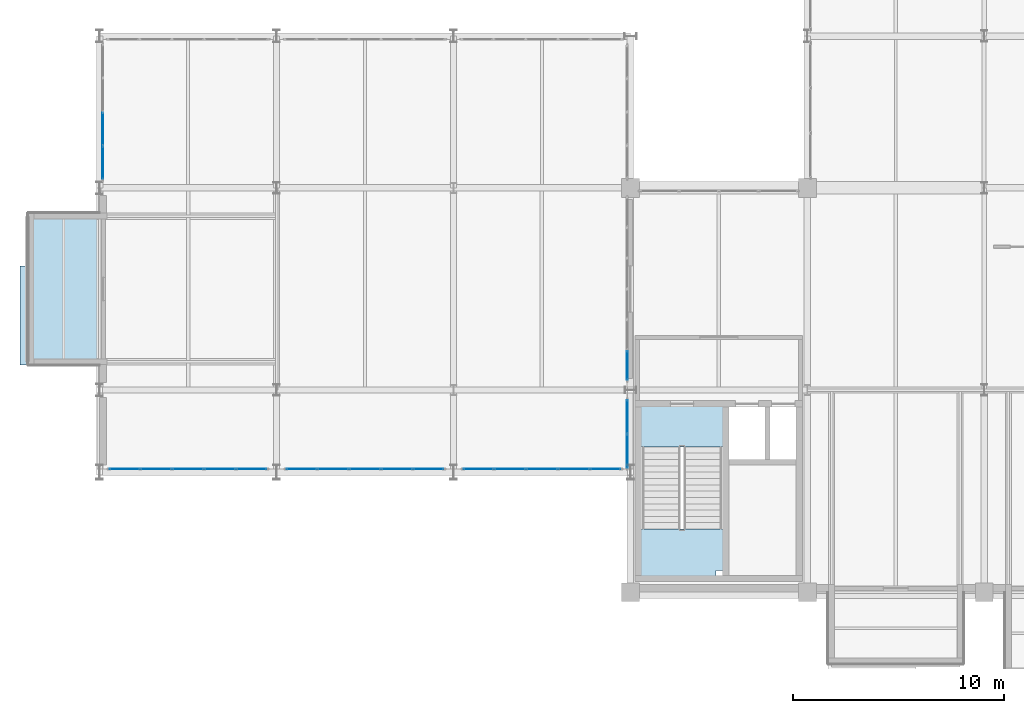
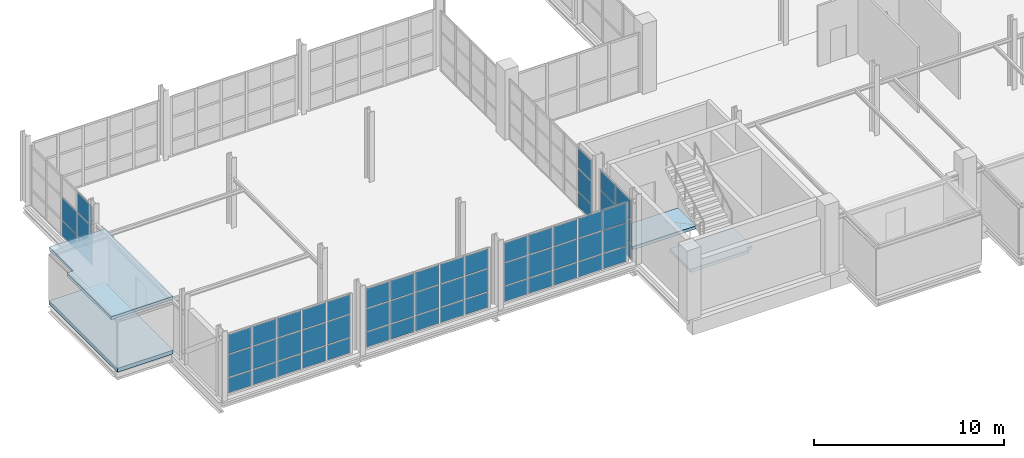
# One storey, part 85 of 109: 59 plates, 4 slabs, 7 elements without a shape of their own.
"""IFC4 building model written with IfcOpenShell, lengths in metres."""

import ifcopenshell
import ifcopenshell.guid

model = None  # the IFC model being written
_history = None  # IfcOwnerHistory: only IFC2X3 demands one
_inside = {}  # id of a spatial element -> (the spatial element, [elements in it])
_under = {}  # id of a project, library or spatial element -> (it, [spatial elements below it])
_declared = {}  # id of a project -> (the project, [libraries it declares])
_typed = {}  # id of a type object -> (the type object, [elements of that type])
_made_of = {}  # id of a material, layer set ... -> (it, [elements and type objects made of it])


def new_model(schema):
    """Start an empty IFC model of exactly this schema.

    Asked for "IFC4X3", IfcOpenShell would pick the latest addendum, in which some entities
    have other attributes; the version numbers below select the first issue.
    IFC2X3 requires an IfcOwnerHistory on every rooted entity: one is made here for all.
    """
    global model, _history
    if schema == "IFC4X3":
        model = ifcopenshell.file(schema_version=(4, 3, 0, 0))
    else:
        model = ifcopenshell.file(schema=schema)
    _inside.clear()
    _under.clear()
    _declared.clear()
    _typed.clear()
    _made_of.clear()
    _history = None
    if model.schema == "IFC2X3":
        org = make("IfcOrganization", Name="unknown")
        user = make(
            "IfcPersonAndOrganization",
            ThePerson=make("IfcPerson", FamilyName="unknown"),
            TheOrganization=org,
        )
        app = make(
            "IfcApplication",
            ApplicationDeveloper=org,
            Version="unknown",
            ApplicationFullName="unknown",
            ApplicationIdentifier="unknown",
        )
        _history = make(
            "IfcOwnerHistory",
            OwningUser=user,
            OwningApplication=app,
            ChangeAction="ADDED",
            CreationDate=0,
        )
    return model


def make(cls, **values):
    """One entity of the class cls with the attributes given. An attribute that is None is left unset."""
    return model.create_entity(
        cls, **{name: value for name, value in values.items() if value is not None}
    )


def rooted(cls, **values):
    """An entity with a GlobalId (a new one), such as an element, a storey or a relation."""
    return make(cls, GlobalId=ifcopenshell.guid.new(), OwnerHistory=_history, **values)


def si_unit(unit_type, name, prefix=None):
    """IfcSIUnit, for example si_unit("LENGTHUNIT", "METRE", prefix="MILLI")."""
    return make("IfcSIUnit", UnitType=unit_type, Prefix=prefix, Name=name)


def assignment(units):
    """IfcUnitAssignment: the units of a project."""
    return None if units is None else make("IfcUnitAssignment", Units=units)


def point(xyz):
    """IfcCartesianPoint."""
    return None if xyz is None else make("IfcCartesianPoint", Coordinates=xyz)


def direction(xyz):
    """IfcDirection."""
    return None if xyz is None else make("IfcDirection", DirectionRatios=xyz)


def frame(location, z_axis=None, x_axis=None):
    """IfcAxis2Placement3D, a coordinate frame: its origin and axes. An axis left out is left unset."""
    return make(
        "IfcAxis2Placement3D",
        Location=point(location),
        Axis=direction(z_axis),
        RefDirection=direction(x_axis),
    )


def frame_2d(location, x_axis=None):
    """IfcAxis2Placement2D, a coordinate frame in the plane: its origin and x axis."""
    return make(
        "IfcAxis2Placement2D", Location=point(location), RefDirection=direction(x_axis)
    )


def origin():
    """The frame at (0, 0, 0) with its axes left unset."""
    return frame((0.0, 0.0, 0.0))


def origin_2d():
    """The frame at (0, 0) in the plane with its x axis left unset."""
    return frame_2d((0.0, 0.0))


def place(relative_to, where):
    """IfcLocalPlacement: puts the frame where relative to a parent placement (None: the world)."""
    return make(
        "IfcLocalPlacement", PlacementRelTo=relative_to, RelativePlacement=where
    )


def context(
    kind, dimensions, precision=None, world=None, true_north=None, identifier=None
):
    """IfcGeometricRepresentationContext, for example the 3D "Model" context."""
    return make(
        "IfcGeometricRepresentationContext",
        ContextIdentifier=identifier,
        ContextType=kind,
        CoordinateSpaceDimension=dimensions,
        Precision=precision,
        WorldCoordinateSystem=world,
        TrueNorth=true_north,
    )


def subcontext(parent, identifier, kind, view, scale=None):
    """IfcGeometricRepresentationSubContext, for example "Body" below "Model"."""
    return make(
        "IfcGeometricRepresentationSubContext",
        ContextIdentifier=identifier,
        ContextType=kind,
        ParentContext=parent,
        TargetScale=scale,
        TargetView=view,
    )


def project(units=None, contexts=None):
    """IfcProject with its units and contexts."""
    return rooted(
        "IfcProject",
        Name="project",
        RepresentationContexts=contexts,
        UnitsInContext=assignment(units),
    )


def spatial(cls, under=None, at=None, **own):
    """A site, building, storey or space (cls), placed at a placement, below another one or the project."""
    s = rooted(cls, ObjectPlacement=at, **own)
    if under is not None:
        _under.setdefault(under.id(), (under, []))[1].append(s)
    return s


def polyline(points):
    """IfcPolyline through the points."""
    return make("IfcPolyline", Points=[point(p) for p in points])


def profile(cls, at=None, kind="AREA", **sizes):
    """A parametric profile (cls). Its sizes go by their IFC names, for example OverallWidth=200.0."""
    return make(cls, ProfileType=kind, Position=at, **sizes)


def rectangle(**sizes):
    """IfcRectangleProfileDef."""
    return profile("IfcRectangleProfileDef", **sizes)


def outline(outer, holes=None, kind="AREA"):
    """IfcArbitraryClosedProfileDef: a profile drawn as a closed curve; with holes, ...WithVoids."""
    if holes is None:
        return make("IfcArbitraryClosedProfileDef", ProfileType=kind, OuterCurve=outer)
    return make(
        "IfcArbitraryProfileDefWithVoids",
        ProfileType=kind,
        OuterCurve=outer,
        InnerCurves=holes,
    )


def extrude(swept, where, along, depth):
    """IfcExtrudedAreaSolid: the profile swept, set in the frame where, extruded along a direction by depth."""
    return make(
        "IfcExtrudedAreaSolid",
        SweptArea=swept,
        Position=where,
        ExtrudedDirection=direction(along),
        Depth=depth,
    )


def shape(context_of_items, identifier, shape_type, items):
    """IfcShapeRepresentation: the items that make up one representation, for example the "Body"."""
    return make(
        "IfcShapeRepresentation",
        ContextOfItems=context_of_items,
        RepresentationIdentifier=identifier,
        RepresentationType=shape_type,
        Items=items,
    )


def material(Name=None, Category=None):
    """IfcMaterial."""
    return make("IfcMaterial", Name=Name, Category=Category)


def layer(
    of_material, thickness, ventilated=None, Name=None, Category=None, Priority=None
):
    """IfcMaterialLayer: one layer of a wall or slab, of a material (None: an air gap)."""
    return make(
        "IfcMaterialLayer",
        Material=of_material,
        LayerThickness=thickness,
        IsVentilated=ventilated,
        Name=Name,
        Category=Category,
        Priority=Priority,
    )


def layer_set(layers, Name=None):
    """IfcMaterialLayerSet."""
    return make("IfcMaterialLayerSet", MaterialLayers=layers, LayerSetName=Name)


def made_of(thing, what):
    """Note that an element or type object is made of a material, layer set ...; save() writes the relation."""
    if what is not None:
        _made_of.setdefault(what.id(), (what, []))[1].append(thing)
    return thing


def type_object(cls, material=None, **own):
    """A type object (cls), such as IfcWallType, which elements share."""
    return made_of(rooted(cls, **own), material)


def element(
    cls,
    number,
    at=None,
    inside=None,
    cuts=None,
    type_object=None,
    material=None,
    context=None,
    identifier="Body",
    shape_type=None,
    held_by="IfcProductDefinitionShape",
    body=None,
    shapes=None,
    **own,
):
    """One element of the class cls, such as IfcWall. Its Tag is "e" and its number.

    at: its placement. inside: the storey or other place that contains it. cuts: it is an
    opening in that element (IfcRelVoidsElement). A single representation is given by context,
    identifier, shape_type and body (its items); several are given by shapes. held_by: the class
    of the entity that holds the representations. save() writes the other relations.
    """
    e = rooted(cls, Tag="e%d" % number, ObjectPlacement=at, **own)
    if body is not None:
        shapes = [shape(context, identifier, shape_type, body)]
    if shapes is not None:
        e.Representation = make(held_by, Representations=shapes)
    if inside is not None:
        _inside.setdefault(inside.id(), (inside, []))[1].append(e)
    if cuts is not None:
        rooted(
            "IfcRelVoidsElement", RelatingBuildingElement=cuts, RelatedOpeningElement=e
        )
    if type_object is not None:
        _typed.setdefault(type_object.id(), (type_object, []))[1].append(e)
    return made_of(e, material)


def aggregate(whole, parts):
    """IfcRelAggregates: a whole, such as a stair, and the parts it consists of."""
    return rooted("IfcRelAggregates", RelatingObject=whole, RelatedObjects=parts)


def save(model, path):
    """Write the relations noted so far, then the file.

    IfcRelAggregates (storeys below a building ...), IfcRelContainedInSpatialStructure (elements
    in a storey), IfcRelDefinesByType, IfcRelAssociatesMaterial and IfcRelDeclares: one each for
    every whole, place, type object, material and project.
    """
    for whole, parts in _under.values():
        aggregate(whole, parts)
    for where, things in _inside.values():
        rooted(
            "IfcRelContainedInSpatialStructure",
            RelatedElements=things,
            RelatingStructure=where,
        )
    for kind, things in _typed.values():
        rooted("IfcRelDefinesByType", RelatedObjects=things, RelatingType=kind)
    for what, things in _made_of.values():
        rooted("IfcRelAssociatesMaterial", RelatedObjects=things, RelatingMaterial=what)
    for by, libraries in _declared.values():
        rooted("IfcRelDeclares", RelatingContext=by, RelatedDefinitions=libraries)
    model.write(path)


model = new_model("IFC4")

# Units and contexts
model_context = context("Model", 3, precision=1e-05, world=origin(), true_north=direction((0.0, 1.0)))
body_context = subcontext(model_context, "Body", "Model", "MODEL_VIEW")
ifc_project = project(units=[si_unit("LENGTHUNIT", "METRE"), si_unit("AREAUNIT", "SQUARE_METRE"), si_unit("VOLUMEUNIT", "CUBIC_METRE"), si_unit("PLANEANGLEUNIT", "RADIAN"), si_unit("MASSUNIT", "GRAM", prefix="KILO")], contexts=[model_context])

# Site, building, storey
site_placement = place(None, origin())
site = spatial("IfcSite", under=ifc_project, at=site_placement, CompositionType="ELEMENT")
building_placement = place(site_placement, origin())
building = spatial("IfcBuilding", under=site, at=building_placement, Name="Veltarok Museum of Natural Sciences", CompositionType="ELEMENT")
storey_placement = place(building_placement, frame((0.0, 0.0, 17.39990234375)))
storey = spatial("IfcBuildingStorey", under=building, at=storey_placement, Name="L03", CompositionType="ELEMENT", Elevation=17.39990234375)

# Slabs
ifc_material_1 = material(Name="Concrete C35/45", Category="concrete")
ifc_layer_1 = layer(ifc_material_1, 0.199951171875)
ifc_layer_set_1 = layer_set([ifc_layer_1], Name="Concrete C35/45")
slab_type_1 = type_object("IfcSlabType", Name="Cantilevered Cabinet Box Roof Slab 200", PredefinedType="ROOF", material=ifc_layer_set_1)
slab_1_placement = place(storey_placement, frame((0.0, 0.0, 3.25)))
element("IfcSlab", 1, at=slab_1_placement, inside=storey, type_object=slab_type_1, Name="Cabinet Box Roof Slab DB-33", PredefinedType="ROOF", context=body_context, shape_type="SweptSolid", body=[
    extrude(outline(polyline([(2.6201171875, 10.800048828125), (6.39990234375, 10.800048828125), (6.39990234375, 18.0), (3.0, 18.0), (3.0, 15.47998046875), (2.6201171875, 15.47998046875), (2.6201171875, 10.800048828125)])), origin(), (0.0, 0.0, 1.0), 0.2001953125),
])
ifc_layer_2 = layer(ifc_material_1, 0.199951171875)
ifc_layer_set_2 = layer_set([ifc_layer_2], Name="Concrete C35/45")
slab_type_2 = type_object("IfcSlabType", Name="Protected Stair Intermediate Landing Slab 200", PredefinedType="LANDING", material=ifc_layer_set_2)
slab_2_placement = place(storey_placement, frame((0.0, 0.0, -0.199951171875)))
element("IfcSlab", 2, at=slab_2_placement, inside=storey, type_object=slab_type_2, Name="Stairwell Floor Landing ST-01 L03", PredefinedType="LANDING", context=body_context, shape_type="SweptSolid", body=[
    extrude(outline(polyline([(32.110107421875, 6.89990234375), (35.989990234375, 6.89990234375), (35.989990234375, 8.820068359375), (32.110107421875, 8.820068359375), (32.110107421875, 6.89990234375)])), origin(), (0.0, 0.0, 1.0), 0.199951171875),
])

# Stair, slab
ifc_material_2 = material(Name="Precast concrete C40/50", Category="concrete")
stair_type = type_object("IfcStairType", Name="Protected Half-Turn Escape Stair H4500", PredefinedType="HALF_TURN_STAIR", material=ifc_material_2)
stair_placement = place(storey_placement, origin())
stair = element("IfcStair", 3, at=stair_placement, inside=storey, type_object=stair_type, Name="Protected Escape Stair ST-01-L03", PredefinedType="HALF_TURN_STAIR")
slab_3_placement = place(storey_placement, frame((0.0, 0.0, 2.050048828125)))
slab_3 = element("IfcSlab", 4, at=slab_3_placement, type_object=slab_type_2, Name="ST-01-L03 landing 1", PredefinedType="LANDING", context=body_context, shape_type="SweptSolid", body=[
    extrude(outline(polyline([(32.110107421875, 0.780029296875), (35.669921875, 0.780029296875), (35.669921875, 1.02001953125), (35.989990234375, 1.02001953125), (35.989990234375, 3.0), (32.110107421875, 3.0), (32.110107421875, 0.780029296875)])), origin(), (0.0, 0.0, 1.0), 0.199951171875),
])
aggregate(stair, [slab_3])

# Slab
ifc_layer_3 = layer(ifc_material_1, 0.25)
ifc_layer_set_3 = layer_set([ifc_layer_3], Name="Concrete C35/45")
slab_type_3 = type_object("IfcSlabType", Name="Suspended Museum Floor Slab 250", PredefinedType="FLOOR", material=ifc_layer_set_3)
slab_4_placement = place(storey_placement, frame((0.0, 0.0, -0.25)))
element("IfcSlab", 5, at=slab_4_placement, inside=storey, type_object=slab_type_3, Name="Cabinet Box Floor Slab DB-33", PredefinedType="FLOOR", context=body_context, shape_type="SweptSolid", body=[
    extrude(outline(polyline([(3.0, 10.800048828125), (6.39990234375, 10.800048828125), (6.39990234375, 18.0), (3.0, 18.0), (3.0, 10.800048828125)])), origin(), (0.0, 0.0, 1.0), 0.25),
])

# Curtain wall, plates
ifc_material_3 = material(Name="Low-iron triple insulated glass", Category="glass")
curtain_wall_type_1 = type_object("IfcCurtainWallType", Name="Curtain Wall System CW-BRG-S-L03-1-756x388 (Bridge South Cantilever L03 1-2 756x388cm)", PredefinedType="NOTDEFINED", material=ifc_material_3)
curtain_wall_1_placement = place(storey_placement, origin())
curtain_wall_1 = element("IfcCurtainWall", 6, at=curtain_wall_1_placement, inside=storey, type_object=curtain_wall_type_1, Name="Curtain Wall CW-BRG-S-L03-1-756x388 CW-0037", PredefinedType="NOTDEFINED")
ifc_layer_4 = layer(ifc_material_3, 0.028076171875)
ifc_layer_set_4 = layer_set([ifc_layer_4], Name="Low-iron triple insulated glass")
plate_type = type_object("IfcPlateType", Name="Triple Low-Iron Glazed Vision Panel 28", PredefinedType="CURTAIN_PANEL", material=ifc_layer_set_4)
plate_1_placement = place(storey_placement, frame((7.591064453125, 5.85009765625, 0.06005859375), z_axis=(0.0, 0.0, 1.0), x_axis=(1.0, 0.0, 0.0)))
plate_1 = element("IfcPlate", 7, at=plate_1_placement, type_object=plate_type, Name="CW-BRG-S-L03-1-756x388 panel 1.1", PredefinedType="CURTAIN_PANEL", context=body_context, shape_type="SweptSolid", body=[
    extrude(rectangle(XDim=1.422119140625, YDim=0.028076171875, at=origin_2d()), origin(), (0.0, 0.0, 1.0), 0.9599609375),
])
plate_2_placement = place(storey_placement, frame((7.591064453125, 5.85009765625, 1.080078125), z_axis=(0.0, 0.0, 1.0), x_axis=(1.0, 0.0, 0.0)))
plate_2 = element("IfcPlate", 8, at=plate_2_placement, type_object=plate_type, Name="CW-BRG-S-L03-1-756x388 panel 1.2", PredefinedType="CURTAIN_PANEL", context=body_context, shape_type="SweptSolid", body=[
    extrude(rectangle(XDim=1.422119140625, YDim=0.028076171875, at=origin_2d()), origin(), (0.0, 0.0, 1.0), 1.43994140625),
])
plate_3_placement = place(storey_placement, frame((7.591064453125, 5.85009765625, 2.580078125), z_axis=(0.0, 0.0, 1.0), x_axis=(1.0, 0.0, 0.0)))
plate_3 = element("IfcPlate", 9, at=plate_3_placement, type_object=plate_type, Name="CW-BRG-S-L03-1-756x388 panel 1.3", PredefinedType="CURTAIN_PANEL", context=body_context, shape_type="SweptSolid", body=[
    extrude(rectangle(XDim=1.422119140625, YDim=0.028076171875, at=origin_2d()), origin(), (0.0, 0.0, 1.0), 1.239990234375),
])
plate_4_placement = place(storey_placement, frame((9.087890625, 5.85009765625, 0.06005859375), z_axis=(0.0, 0.0, 1.0), x_axis=(1.0, 0.0, 0.0)))
plate_4 = element("IfcPlate", 10, at=plate_4_placement, type_object=plate_type, Name="CW-BRG-S-L03-1-756x388 panel 2.1", PredefinedType="CURTAIN_PANEL", context=body_context, shape_type="SweptSolid", body=[
    extrude(rectangle(XDim=1.451904296875, YDim=0.028076171875, at=origin_2d()), origin(), (0.0, 0.0, 1.0), 0.9599609375),
])
plate_5_placement = place(storey_placement, frame((9.087890625, 5.85009765625, 1.080078125), z_axis=(0.0, 0.0, 1.0), x_axis=(1.0, 0.0, 0.0)))
plate_5 = element("IfcPlate", 11, at=plate_5_placement, type_object=plate_type, Name="CW-BRG-S-L03-1-756x388 panel 2.2", PredefinedType="CURTAIN_PANEL", context=body_context, shape_type="SweptSolid", body=[
    extrude(rectangle(XDim=1.451904296875, YDim=0.028076171875, at=origin_2d()), origin(), (0.0, 0.0, 1.0), 1.43994140625),
])
plate_6_placement = place(storey_placement, frame((9.087890625, 5.85009765625, 2.580078125), z_axis=(0.0, 0.0, 1.0), x_axis=(1.0, 0.0, 0.0)))
plate_6 = element("IfcPlate", 12, at=plate_6_placement, type_object=plate_type, Name="CW-BRG-S-L03-1-756x388 panel 2.3", PredefinedType="CURTAIN_PANEL", context=body_context, shape_type="SweptSolid", body=[
    extrude(rectangle(XDim=1.451904296875, YDim=0.028076171875, at=origin_2d()), origin(), (0.0, 0.0, 1.0), 1.239990234375),
])
plate_7_placement = place(storey_placement, frame((10.60009765625, 5.85009765625, 0.06005859375), z_axis=(0.0, 0.0, 1.0), x_axis=(1.0, 0.0, 0.0)))
plate_7 = element("IfcPlate", 13, at=plate_7_placement, type_object=plate_type, Name="CW-BRG-S-L03-1-756x388 panel 3.1", PredefinedType="CURTAIN_PANEL", context=body_context, shape_type="SweptSolid", body=[
    extrude(rectangle(XDim=1.451904296875, YDim=0.028076171875, at=origin_2d()), origin(), (0.0, 0.0, 1.0), 0.9599609375),
])
plate_8_placement = place(storey_placement, frame((10.60009765625, 5.85009765625, 1.080078125), z_axis=(0.0, 0.0, 1.0), x_axis=(1.0, 0.0, 0.0)))
plate_8 = element("IfcPlate", 14, at=plate_8_placement, type_object=plate_type, Name="CW-BRG-S-L03-1-756x388 panel 3.2", PredefinedType="CURTAIN_PANEL", context=body_context, shape_type="SweptSolid", body=[
    extrude(rectangle(XDim=1.451904296875, YDim=0.028076171875, at=origin_2d()), origin(), (0.0, 0.0, 1.0), 1.43994140625),
])
plate_9_placement = place(storey_placement, frame((10.60009765625, 5.85009765625, 2.580078125), z_axis=(0.0, 0.0, 1.0), x_axis=(1.0, 0.0, 0.0)))
plate_9 = element("IfcPlate", 15, at=plate_9_placement, type_object=plate_type, Name="CW-BRG-S-L03-1-756x388 panel 3.3", PredefinedType="CURTAIN_PANEL", context=body_context, shape_type="SweptSolid", body=[
    extrude(rectangle(XDim=1.451904296875, YDim=0.028076171875, at=origin_2d()), origin(), (0.0, 0.0, 1.0), 1.239990234375),
])
plate_10_placement = place(storey_placement, frame((12.112060546875, 5.85009765625, 0.06005859375), z_axis=(0.0, 0.0, 1.0), x_axis=(1.0, 0.0, 0.0)))
plate_10 = element("IfcPlate", 16, at=plate_10_placement, type_object=plate_type, Name="CW-BRG-S-L03-1-756x388 panel 4.1", PredefinedType="CURTAIN_PANEL", context=body_context, shape_type="SweptSolid", body=[
    extrude(rectangle(XDim=1.451904296875, YDim=0.028076171875, at=origin_2d()), origin(), (0.0, 0.0, 1.0), 0.9599609375),
])
plate_11_placement = place(storey_placement, frame((12.112060546875, 5.85009765625, 1.080078125), z_axis=(0.0, 0.0, 1.0), x_axis=(1.0, 0.0, 0.0)))
plate_11 = element("IfcPlate", 17, at=plate_11_placement, type_object=plate_type, Name="CW-BRG-S-L03-1-756x388 panel 4.2", PredefinedType="CURTAIN_PANEL", context=body_context, shape_type="SweptSolid", body=[
    extrude(rectangle(XDim=1.451904296875, YDim=0.028076171875, at=origin_2d()), origin(), (0.0, 0.0, 1.0), 1.43994140625),
])
plate_12_placement = place(storey_placement, frame((12.112060546875, 5.85009765625, 2.580078125), z_axis=(0.0, 0.0, 1.0), x_axis=(1.0, 0.0, 0.0)))
plate_12 = element("IfcPlate", 18, at=plate_12_placement, type_object=plate_type, Name="CW-BRG-S-L03-1-756x388 panel 4.3", PredefinedType="CURTAIN_PANEL", context=body_context, shape_type="SweptSolid", body=[
    extrude(rectangle(XDim=1.451904296875, YDim=0.028076171875, at=origin_2d()), origin(), (0.0, 0.0, 1.0), 1.239990234375),
])
plate_13_placement = place(storey_placement, frame((13.60888671875, 5.85009765625, 0.06005859375), z_axis=(0.0, 0.0, 1.0), x_axis=(1.0, 0.0, 0.0)))
plate_13 = element("IfcPlate", 19, at=plate_13_placement, type_object=plate_type, Name="CW-BRG-S-L03-1-756x388 panel 5.1", PredefinedType="CURTAIN_PANEL", context=body_context, shape_type="SweptSolid", body=[
    extrude(rectangle(XDim=1.422119140625, YDim=0.028076171875, at=origin_2d()), origin(), (0.0, 0.0, 1.0), 0.9599609375),
])
plate_14_placement = place(storey_placement, frame((13.60888671875, 5.85009765625, 1.080078125), z_axis=(0.0, 0.0, 1.0), x_axis=(1.0, 0.0, 0.0)))
plate_14 = element("IfcPlate", 20, at=plate_14_placement, type_object=plate_type, Name="CW-BRG-S-L03-1-756x388 panel 5.2", PredefinedType="CURTAIN_PANEL", context=body_context, shape_type="SweptSolid", body=[
    extrude(rectangle(XDim=1.422119140625, YDim=0.028076171875, at=origin_2d()), origin(), (0.0, 0.0, 1.0), 1.43994140625),
])
plate_15_placement = place(storey_placement, frame((13.60888671875, 5.85009765625, 2.580078125), z_axis=(0.0, 0.0, 1.0), x_axis=(1.0, 0.0, 0.0)))
plate_15 = element("IfcPlate", 21, at=plate_15_placement, type_object=plate_type, Name="CW-BRG-S-L03-1-756x388 panel 5.3", PredefinedType="CURTAIN_PANEL", context=body_context, shape_type="SweptSolid", body=[
    extrude(rectangle(XDim=1.422119140625, YDim=0.028076171875, at=origin_2d()), origin(), (0.0, 0.0, 1.0), 1.239990234375),
])
aggregate(curtain_wall_1, [plate_1, plate_2, plate_3, plate_4, plate_5, plate_6, plate_7, plate_8, plate_9, plate_10, plate_11, plate_12, plate_13, plate_14, plate_15])

curtain_wall_type_2 = type_object("IfcCurtainWallType", Name="Curtain Wall System CW-BRG-S-L03-2-756x388 (Bridge South Cantilever L03 2-3 756x388cm)", PredefinedType="NOTDEFINED", material=ifc_material_3)
curtain_wall_2_placement = place(storey_placement, origin())
curtain_wall_2 = element("IfcCurtainWall", 22, at=curtain_wall_2_placement, inside=storey, type_object=curtain_wall_type_2, Name="Curtain Wall CW-BRG-S-L03-2-756x388 CW-0038", PredefinedType="NOTDEFINED")
plate_16_placement = place(storey_placement, frame((15.990966796875, 5.85009765625, 0.06005859375), z_axis=(0.0, 0.0, 1.0), x_axis=(1.0, 0.0, 0.0)))
plate_16 = element("IfcPlate", 23, at=plate_16_placement, type_object=plate_type, Name="CW-BRG-S-L03-2-756x388 panel 1.1", PredefinedType="CURTAIN_PANEL", context=body_context, shape_type="SweptSolid", body=[
    extrude(rectangle(XDim=1.422119140625, YDim=0.028076171875, at=origin_2d()), origin(), (0.0, 0.0, 1.0), 0.9599609375),
])
plate_17_placement = place(storey_placement, frame((15.990966796875, 5.85009765625, 1.080078125), z_axis=(0.0, 0.0, 1.0), x_axis=(1.0, 0.0, 0.0)))
plate_17 = element("IfcPlate", 24, at=plate_17_placement, type_object=plate_type, Name="CW-BRG-S-L03-2-756x388 panel 1.2", PredefinedType="CURTAIN_PANEL", context=body_context, shape_type="SweptSolid", body=[
    extrude(rectangle(XDim=1.422119140625, YDim=0.028076171875, at=origin_2d()), origin(), (0.0, 0.0, 1.0), 1.43994140625),
])
plate_18_placement = place(storey_placement, frame((15.990966796875, 5.85009765625, 2.580078125), z_axis=(0.0, 0.0, 1.0), x_axis=(1.0, 0.0, 0.0)))
plate_18 = element("IfcPlate", 25, at=plate_18_placement, type_object=plate_type, Name="CW-BRG-S-L03-2-756x388 panel 1.3", PredefinedType="CURTAIN_PANEL", context=body_context, shape_type="SweptSolid", body=[
    extrude(rectangle(XDim=1.422119140625, YDim=0.028076171875, at=origin_2d()), origin(), (0.0, 0.0, 1.0), 1.239990234375),
])
plate_19_placement = place(storey_placement, frame((17.488037109375, 5.85009765625, 0.06005859375), z_axis=(0.0, 0.0, 1.0), x_axis=(1.0, 0.0, 0.0)))
plate_19 = element("IfcPlate", 26, at=plate_19_placement, type_object=plate_type, Name="CW-BRG-S-L03-2-756x388 panel 2.1", PredefinedType="CURTAIN_PANEL", context=body_context, shape_type="SweptSolid", body=[
    extrude(rectangle(XDim=1.451904296875, YDim=0.028076171875, at=origin_2d()), origin(), (0.0, 0.0, 1.0), 0.9599609375),
])
plate_20_placement = place(storey_placement, frame((17.488037109375, 5.85009765625, 1.080078125), z_axis=(0.0, 0.0, 1.0), x_axis=(1.0, 0.0, 0.0)))
plate_20 = element("IfcPlate", 27, at=plate_20_placement, type_object=plate_type, Name="CW-BRG-S-L03-2-756x388 panel 2.2", PredefinedType="CURTAIN_PANEL", context=body_context, shape_type="SweptSolid", body=[
    extrude(rectangle(XDim=1.451904296875, YDim=0.028076171875, at=origin_2d()), origin(), (0.0, 0.0, 1.0), 1.43994140625),
])
plate_21_placement = place(storey_placement, frame((17.488037109375, 5.85009765625, 2.580078125), z_axis=(0.0, 0.0, 1.0), x_axis=(1.0, 0.0, 0.0)))
plate_21 = element("IfcPlate", 28, at=plate_21_placement, type_object=plate_type, Name="CW-BRG-S-L03-2-756x388 panel 2.3", PredefinedType="CURTAIN_PANEL", context=body_context, shape_type="SweptSolid", body=[
    extrude(rectangle(XDim=1.451904296875, YDim=0.028076171875, at=origin_2d()), origin(), (0.0, 0.0, 1.0), 1.239990234375),
])
plate_22_placement = place(storey_placement, frame((19.0, 5.85009765625, 0.06005859375), z_axis=(0.0, 0.0, 1.0), x_axis=(1.0, 0.0, 0.0)))
plate_22 = element("IfcPlate", 29, at=plate_22_placement, type_object=plate_type, Name="CW-BRG-S-L03-2-756x388 panel 3.1", PredefinedType="CURTAIN_PANEL", context=body_context, shape_type="SweptSolid", body=[
    extrude(rectangle(XDim=1.451904296875, YDim=0.028076171875, at=origin_2d()), origin(), (0.0, 0.0, 1.0), 0.9599609375),
])
plate_23_placement = place(storey_placement, frame((19.0, 5.85009765625, 1.080078125), z_axis=(0.0, 0.0, 1.0), x_axis=(1.0, 0.0, 0.0)))
plate_23 = element("IfcPlate", 30, at=plate_23_placement, type_object=plate_type, Name="CW-BRG-S-L03-2-756x388 panel 3.2", PredefinedType="CURTAIN_PANEL", context=body_context, shape_type="SweptSolid", body=[
    extrude(rectangle(XDim=1.451904296875, YDim=0.028076171875, at=origin_2d()), origin(), (0.0, 0.0, 1.0), 1.43994140625),
])
plate_24_placement = place(storey_placement, frame((19.0, 5.85009765625, 2.580078125), z_axis=(0.0, 0.0, 1.0), x_axis=(1.0, 0.0, 0.0)))
plate_24 = element("IfcPlate", 31, at=plate_24_placement, type_object=plate_type, Name="CW-BRG-S-L03-2-756x388 panel 3.3", PredefinedType="CURTAIN_PANEL", context=body_context, shape_type="SweptSolid", body=[
    extrude(rectangle(XDim=1.451904296875, YDim=0.028076171875, at=origin_2d()), origin(), (0.0, 0.0, 1.0), 1.239990234375),
])
plate_25_placement = place(storey_placement, frame((20.511962890625, 5.85009765625, 0.06005859375), z_axis=(0.0, 0.0, 1.0), x_axis=(1.0, 0.0, 0.0)))
plate_25 = element("IfcPlate", 32, at=plate_25_placement, type_object=plate_type, Name="CW-BRG-S-L03-2-756x388 panel 4.1", PredefinedType="CURTAIN_PANEL", context=body_context, shape_type="SweptSolid", body=[
    extrude(rectangle(XDim=1.451904296875, YDim=0.028076171875, at=origin_2d()), origin(), (0.0, 0.0, 1.0), 0.9599609375),
])
plate_26_placement = place(storey_placement, frame((20.511962890625, 5.85009765625, 1.080078125), z_axis=(0.0, 0.0, 1.0), x_axis=(1.0, 0.0, 0.0)))
plate_26 = element("IfcPlate", 33, at=plate_26_placement, type_object=plate_type, Name="CW-BRG-S-L03-2-756x388 panel 4.2", PredefinedType="CURTAIN_PANEL", context=body_context, shape_type="SweptSolid", body=[
    extrude(rectangle(XDim=1.451904296875, YDim=0.028076171875, at=origin_2d()), origin(), (0.0, 0.0, 1.0), 1.43994140625),
])
plate_27_placement = place(storey_placement, frame((20.511962890625, 5.85009765625, 2.580078125), z_axis=(0.0, 0.0, 1.0), x_axis=(1.0, 0.0, 0.0)))
plate_27 = element("IfcPlate", 34, at=plate_27_placement, type_object=plate_type, Name="CW-BRG-S-L03-2-756x388 panel 4.3", PredefinedType="CURTAIN_PANEL", context=body_context, shape_type="SweptSolid", body=[
    extrude(rectangle(XDim=1.451904296875, YDim=0.028076171875, at=origin_2d()), origin(), (0.0, 0.0, 1.0), 1.239990234375),
])
plate_28_placement = place(storey_placement, frame((22.009033203125, 5.85009765625, 0.06005859375), z_axis=(0.0, 0.0, 1.0), x_axis=(1.0, 0.0, 0.0)))
plate_28 = element("IfcPlate", 35, at=plate_28_placement, type_object=plate_type, Name="CW-BRG-S-L03-2-756x388 panel 5.1", PredefinedType="CURTAIN_PANEL", context=body_context, shape_type="SweptSolid", body=[
    extrude(rectangle(XDim=1.422119140625, YDim=0.028076171875, at=origin_2d()), origin(), (0.0, 0.0, 1.0), 0.9599609375),
])
plate_29_placement = place(storey_placement, frame((22.009033203125, 5.85009765625, 1.080078125), z_axis=(0.0, 0.0, 1.0), x_axis=(1.0, 0.0, 0.0)))
plate_29 = element("IfcPlate", 36, at=plate_29_placement, type_object=plate_type, Name="CW-BRG-S-L03-2-756x388 panel 5.2", PredefinedType="CURTAIN_PANEL", context=body_context, shape_type="SweptSolid", body=[
    extrude(rectangle(XDim=1.422119140625, YDim=0.028076171875, at=origin_2d()), origin(), (0.0, 0.0, 1.0), 1.43994140625),
])
plate_30_placement = place(storey_placement, frame((22.009033203125, 5.85009765625, 2.580078125), z_axis=(0.0, 0.0, 1.0), x_axis=(1.0, 0.0, 0.0)))
plate_30 = element("IfcPlate", 37, at=plate_30_placement, type_object=plate_type, Name="CW-BRG-S-L03-2-756x388 panel 5.3", PredefinedType="CURTAIN_PANEL", context=body_context, shape_type="SweptSolid", body=[
    extrude(rectangle(XDim=1.422119140625, YDim=0.028076171875, at=origin_2d()), origin(), (0.0, 0.0, 1.0), 1.239990234375),
])
aggregate(curtain_wall_2, [plate_16, plate_17, plate_18, plate_19, plate_20, plate_21, plate_22, plate_23, plate_24, plate_25, plate_26, plate_27, plate_28, plate_29, plate_30])

curtain_wall_type_3 = type_object("IfcCurtainWallType", Name="Curtain Wall System CW-BRG-S-L03-3-756x388 (Bridge South Cantilever L03 3-4 756x388cm)", PredefinedType="NOTDEFINED", material=ifc_material_3)
curtain_wall_3_placement = place(storey_placement, origin())
curtain_wall_3 = element("IfcCurtainWall", 38, at=curtain_wall_3_placement, inside=storey, type_object=curtain_wall_type_3, Name="Curtain Wall CW-BRG-S-L03-3-756x388 CW-0039", PredefinedType="NOTDEFINED")
plate_31_placement = place(storey_placement, frame((24.39111328125, 5.85009765625, 0.06005859375), z_axis=(0.0, 0.0, 1.0), x_axis=(1.0, 0.0, 0.0)))
plate_31 = element("IfcPlate", 39, at=plate_31_placement, type_object=plate_type, Name="CW-BRG-S-L03-3-756x388 panel 1.1", PredefinedType="CURTAIN_PANEL", context=body_context, shape_type="SweptSolid", body=[
    extrude(rectangle(XDim=1.422119140625, YDim=0.028076171875, at=origin_2d()), origin(), (0.0, 0.0, 1.0), 0.9599609375),
])
plate_32_placement = place(storey_placement, frame((24.39111328125, 5.85009765625, 1.080078125), z_axis=(0.0, 0.0, 1.0), x_axis=(1.0, 0.0, 0.0)))
plate_32 = element("IfcPlate", 40, at=plate_32_placement, type_object=plate_type, Name="CW-BRG-S-L03-3-756x388 panel 1.2", PredefinedType="CURTAIN_PANEL", context=body_context, shape_type="SweptSolid", body=[
    extrude(rectangle(XDim=1.422119140625, YDim=0.028076171875, at=origin_2d()), origin(), (0.0, 0.0, 1.0), 1.43994140625),
])
plate_33_placement = place(storey_placement, frame((24.39111328125, 5.85009765625, 2.580078125), z_axis=(0.0, 0.0, 1.0), x_axis=(1.0, 0.0, 0.0)))
plate_33 = element("IfcPlate", 41, at=plate_33_placement, type_object=plate_type, Name="CW-BRG-S-L03-3-756x388 panel 1.3", PredefinedType="CURTAIN_PANEL", context=body_context, shape_type="SweptSolid", body=[
    extrude(rectangle(XDim=1.422119140625, YDim=0.028076171875, at=origin_2d()), origin(), (0.0, 0.0, 1.0), 1.239990234375),
])
plate_34_placement = place(storey_placement, frame((25.887939453125, 5.85009765625, 0.06005859375), z_axis=(0.0, 0.0, 1.0), x_axis=(1.0, 0.0, 0.0)))
plate_34 = element("IfcPlate", 42, at=plate_34_placement, type_object=plate_type, Name="CW-BRG-S-L03-3-756x388 panel 2.1", PredefinedType="CURTAIN_PANEL", context=body_context, shape_type="SweptSolid", body=[
    extrude(rectangle(XDim=1.451904296875, YDim=0.028076171875, at=origin_2d()), origin(), (0.0, 0.0, 1.0), 0.9599609375),
])
plate_35_placement = place(storey_placement, frame((25.887939453125, 5.85009765625, 1.080078125), z_axis=(0.0, 0.0, 1.0), x_axis=(1.0, 0.0, 0.0)))
plate_35 = element("IfcPlate", 43, at=plate_35_placement, type_object=plate_type, Name="CW-BRG-S-L03-3-756x388 panel 2.2", PredefinedType="CURTAIN_PANEL", context=body_context, shape_type="SweptSolid", body=[
    extrude(rectangle(XDim=1.451904296875, YDim=0.028076171875, at=origin_2d()), origin(), (0.0, 0.0, 1.0), 1.43994140625),
])
plate_36_placement = place(storey_placement, frame((25.887939453125, 5.85009765625, 2.580078125), z_axis=(0.0, 0.0, 1.0), x_axis=(1.0, 0.0, 0.0)))
plate_36 = element("IfcPlate", 44, at=plate_36_placement, type_object=plate_type, Name="CW-BRG-S-L03-3-756x388 panel 2.3", PredefinedType="CURTAIN_PANEL", context=body_context, shape_type="SweptSolid", body=[
    extrude(rectangle(XDim=1.451904296875, YDim=0.028076171875, at=origin_2d()), origin(), (0.0, 0.0, 1.0), 1.239990234375),
])
plate_37_placement = place(storey_placement, frame((27.39990234375, 5.85009765625, 0.06005859375), z_axis=(0.0, 0.0, 1.0), x_axis=(1.0, 0.0, 0.0)))
plate_37 = element("IfcPlate", 45, at=plate_37_placement, type_object=plate_type, Name="CW-BRG-S-L03-3-756x388 panel 3.1", PredefinedType="CURTAIN_PANEL", context=body_context, shape_type="SweptSolid", body=[
    extrude(rectangle(XDim=1.451904296875, YDim=0.028076171875, at=origin_2d()), origin(), (0.0, 0.0, 1.0), 0.9599609375),
])
plate_38_placement = place(storey_placement, frame((27.39990234375, 5.85009765625, 1.080078125), z_axis=(0.0, 0.0, 1.0), x_axis=(1.0, 0.0, 0.0)))
plate_38 = element("IfcPlate", 46, at=plate_38_placement, type_object=plate_type, Name="CW-BRG-S-L03-3-756x388 panel 3.2", PredefinedType="CURTAIN_PANEL", context=body_context, shape_type="SweptSolid", body=[
    extrude(rectangle(XDim=1.451904296875, YDim=0.028076171875, at=origin_2d()), origin(), (0.0, 0.0, 1.0), 1.43994140625),
])
plate_39_placement = place(storey_placement, frame((27.39990234375, 5.85009765625, 2.580078125), z_axis=(0.0, 0.0, 1.0), x_axis=(1.0, 0.0, 0.0)))
plate_39 = element("IfcPlate", 47, at=plate_39_placement, type_object=plate_type, Name="CW-BRG-S-L03-3-756x388 panel 3.3", PredefinedType="CURTAIN_PANEL", context=body_context, shape_type="SweptSolid", body=[
    extrude(rectangle(XDim=1.451904296875, YDim=0.028076171875, at=origin_2d()), origin(), (0.0, 0.0, 1.0), 1.239990234375),
])
plate_40_placement = place(storey_placement, frame((28.912109375, 5.85009765625, 0.06005859375), z_axis=(0.0, 0.0, 1.0), x_axis=(1.0, 0.0, 0.0)))
plate_40 = element("IfcPlate", 48, at=plate_40_placement, type_object=plate_type, Name="CW-BRG-S-L03-3-756x388 panel 4.1", PredefinedType="CURTAIN_PANEL", context=body_context, shape_type="SweptSolid", body=[
    extrude(rectangle(XDim=1.451904296875, YDim=0.028076171875, at=origin_2d()), origin(), (0.0, 0.0, 1.0), 0.9599609375),
])
plate_41_placement = place(storey_placement, frame((28.912109375, 5.85009765625, 1.080078125), z_axis=(0.0, 0.0, 1.0), x_axis=(1.0, 0.0, 0.0)))
plate_41 = element("IfcPlate", 49, at=plate_41_placement, type_object=plate_type, Name="CW-BRG-S-L03-3-756x388 panel 4.2", PredefinedType="CURTAIN_PANEL", context=body_context, shape_type="SweptSolid", body=[
    extrude(rectangle(XDim=1.451904296875, YDim=0.028076171875, at=origin_2d()), origin(), (0.0, 0.0, 1.0), 1.43994140625),
])
plate_42_placement = place(storey_placement, frame((28.912109375, 5.85009765625, 2.580078125), z_axis=(0.0, 0.0, 1.0), x_axis=(1.0, 0.0, 0.0)))
plate_42 = element("IfcPlate", 50, at=plate_42_placement, type_object=plate_type, Name="CW-BRG-S-L03-3-756x388 panel 4.3", PredefinedType="CURTAIN_PANEL", context=body_context, shape_type="SweptSolid", body=[
    extrude(rectangle(XDim=1.451904296875, YDim=0.028076171875, at=origin_2d()), origin(), (0.0, 0.0, 1.0), 1.239990234375),
])
plate_43_placement = place(storey_placement, frame((30.408935546875, 5.85009765625, 0.06005859375), z_axis=(0.0, 0.0, 1.0), x_axis=(1.0, 0.0, 0.0)))
plate_43 = element("IfcPlate", 51, at=plate_43_placement, type_object=plate_type, Name="CW-BRG-S-L03-3-756x388 panel 5.1", PredefinedType="CURTAIN_PANEL", context=body_context, shape_type="SweptSolid", body=[
    extrude(rectangle(XDim=1.422119140625, YDim=0.028076171875, at=origin_2d()), origin(), (0.0, 0.0, 1.0), 0.9599609375),
])
plate_44_placement = place(storey_placement, frame((30.408935546875, 5.85009765625, 1.080078125), z_axis=(0.0, 0.0, 1.0), x_axis=(1.0, 0.0, 0.0)))
plate_44 = element("IfcPlate", 52, at=plate_44_placement, type_object=plate_type, Name="CW-BRG-S-L03-3-756x388 panel 5.2", PredefinedType="CURTAIN_PANEL", context=body_context, shape_type="SweptSolid", body=[
    extrude(rectangle(XDim=1.422119140625, YDim=0.028076171875, at=origin_2d()), origin(), (0.0, 0.0, 1.0), 1.43994140625),
])
plate_45_placement = place(storey_placement, frame((30.408935546875, 5.85009765625, 2.580078125), z_axis=(0.0, 0.0, 1.0), x_axis=(1.0, 0.0, 0.0)))
plate_45 = element("IfcPlate", 53, at=plate_45_placement, type_object=plate_type, Name="CW-BRG-S-L03-3-756x388 panel 5.3", PredefinedType="CURTAIN_PANEL", context=body_context, shape_type="SweptSolid", body=[
    extrude(rectangle(XDim=1.422119140625, YDim=0.028076171875, at=origin_2d()), origin(), (0.0, 0.0, 1.0), 1.239990234375),
])
aggregate(curtain_wall_3, [plate_31, plate_32, plate_33, plate_34, plate_35, plate_36, plate_37, plate_38, plate_39, plate_40, plate_41, plate_42, plate_43, plate_44, plate_45])

curtain_wall_type_4 = type_object("IfcCurtainWallType", Name="Curtain Wall System CW-BRG-E-L03-CANT-333x388 (Bridge East Court L03 CANT 333x388cm)", PredefinedType="NOTDEFINED", material=ifc_material_3)
curtain_wall_4_placement = place(storey_placement, origin())
curtain_wall_4 = element("IfcCurtainWall", 54, at=curtain_wall_4_placement, inside=storey, type_object=curtain_wall_type_4, Name="Curtain Wall CW-BRG-E-L03-CANT-333x388 CW-0040", PredefinedType="NOTDEFINED")
plate_46_placement = place(storey_placement, frame((31.449951171875, 6.697509765625, 0.06005859375), z_axis=(0.0, 0.0, 1.0), x_axis=(0.0, 1.0, 0.0)))
plate_46 = element("IfcPlate", 55, at=plate_46_placement, type_object=plate_type, Name="CW-BRG-E-L03-CANT-333x388 panel 1.1", PredefinedType="CURTAIN_PANEL", context=body_context, shape_type="SweptSolid", body=[
    extrude(rectangle(XDim=1.574951171875, YDim=0.028076171875, at=origin_2d()), origin(), (0.0, 0.0, 1.0), 0.9599609375),
])
plate_47_placement = place(storey_placement, frame((31.449951171875, 6.697509765625, 1.080078125), z_axis=(0.0, 0.0, 1.0), x_axis=(0.0, 1.0, 0.0)))
plate_47 = element("IfcPlate", 56, at=plate_47_placement, type_object=plate_type, Name="CW-BRG-E-L03-CANT-333x388 panel 1.2", PredefinedType="CURTAIN_PANEL", context=body_context, shape_type="SweptSolid", body=[
    extrude(rectangle(XDim=1.574951171875, YDim=0.028076171875, at=origin_2d()), origin(), (0.0, 0.0, 1.0), 1.43994140625),
])
plate_48_placement = place(storey_placement, frame((31.449951171875, 6.697509765625, 2.580078125), z_axis=(0.0, 0.0, 1.0), x_axis=(0.0, 1.0, 0.0)))
plate_48 = element("IfcPlate", 57, at=plate_48_placement, type_object=plate_type, Name="CW-BRG-E-L03-CANT-333x388 panel 1.3", PredefinedType="CURTAIN_PANEL", context=body_context, shape_type="SweptSolid", body=[
    extrude(rectangle(XDim=1.574951171875, YDim=0.028076171875, at=origin_2d()), origin(), (0.0, 0.0, 1.0), 1.239990234375),
])
plate_49_placement = place(storey_placement, frame((31.449951171875, 8.33251953125, 0.06005859375), z_axis=(0.0, 0.0, 1.0), x_axis=(0.0, 1.0, 0.0)))
plate_49 = element("IfcPlate", 58, at=plate_49_placement, type_object=plate_type, Name="CW-BRG-E-L03-CANT-333x388 panel 2.1", PredefinedType="CURTAIN_PANEL", context=body_context, shape_type="SweptSolid", body=[
    extrude(rectangle(XDim=1.574951171875, YDim=0.028076171875, at=origin_2d()), origin(), (0.0, 0.0, 1.0), 0.9599609375),
])
plate_50_placement = place(storey_placement, frame((31.449951171875, 8.33251953125, 1.080078125), z_axis=(0.0, 0.0, 1.0), x_axis=(0.0, 1.0, 0.0)))
plate_50 = element("IfcPlate", 59, at=plate_50_placement, type_object=plate_type, Name="CW-BRG-E-L03-CANT-333x388 panel 2.2", PredefinedType="CURTAIN_PANEL", context=body_context, shape_type="SweptSolid", body=[
    extrude(rectangle(XDim=1.574951171875, YDim=0.028076171875, at=origin_2d()), origin(), (0.0, 0.0, 1.0), 1.43994140625),
])
plate_51_placement = place(storey_placement, frame((31.449951171875, 8.33251953125, 2.580078125), z_axis=(0.0, 0.0, 1.0), x_axis=(0.0, 1.0, 0.0)))
plate_51 = element("IfcPlate", 60, at=plate_51_placement, type_object=plate_type, Name="CW-BRG-E-L03-CANT-333x388 panel 2.3", PredefinedType="CURTAIN_PANEL", context=body_context, shape_type="SweptSolid", body=[
    extrude(rectangle(XDim=1.574951171875, YDim=0.028076171875, at=origin_2d()), origin(), (0.0, 0.0, 1.0), 1.239990234375),
])
aggregate(curtain_wall_4, [plate_46, plate_47, plate_48, plate_49, plate_50, plate_51])

curtain_wall_type_5 = type_object("IfcCurtainWallType", Name="Curtain Wall System CW-BRG-E-L03-BC-876x388 (Bridge East Court L03 BC 876x388cm)", PredefinedType="NOTDEFINED", material=ifc_material_3)
curtain_wall_5_placement = place(storey_placement, origin())
curtain_wall_5 = element("IfcCurtainWall", 61, at=curtain_wall_5_placement, inside=storey, type_object=curtain_wall_type_5, Name="Curtain Wall CW-BRG-E-L03-BC-876x388 CW-0041", PredefinedType="NOTDEFINED")
plate_52_placement = place(storey_placement, frame((31.449951171875, 10.764892578125, 0.06005859375), z_axis=(0.0, 0.0, 1.0), x_axis=(0.0, 1.0, 0.0)))
plate_52 = element("IfcPlate", 62, at=plate_52_placement, type_object=plate_type, Name="CW-BRG-E-L03-BC-876x388 panel 1.1", PredefinedType="CURTAIN_PANEL", context=body_context, shape_type="SweptSolid", body=[
    extrude(rectangle(XDim=1.3701171875, YDim=0.028076171875, at=origin_2d()), origin(), (0.0, 0.0, 1.0), 0.9599609375),
])
plate_53_placement = place(storey_placement, frame((31.449951171875, 10.764892578125, 1.080078125), z_axis=(0.0, 0.0, 1.0), x_axis=(0.0, 1.0, 0.0)))
plate_53 = element("IfcPlate", 63, at=plate_53_placement, type_object=plate_type, Name="CW-BRG-E-L03-BC-876x388 panel 1.2", PredefinedType="CURTAIN_PANEL", context=body_context, shape_type="SweptSolid", body=[
    extrude(rectangle(XDim=1.3701171875, YDim=0.028076171875, at=origin_2d()), origin(), (0.0, 0.0, 1.0), 1.43994140625),
])
plate_54_placement = place(storey_placement, frame((31.449951171875, 10.764892578125, 2.580078125), z_axis=(0.0, 0.0, 1.0), x_axis=(0.0, 1.0, 0.0)))
plate_54 = element("IfcPlate", 64, at=plate_54_placement, type_object=plate_type, Name="CW-BRG-E-L03-BC-876x388 panel 1.3", PredefinedType="CURTAIN_PANEL", context=body_context, shape_type="SweptSolid", body=[
    extrude(rectangle(XDim=1.3701171875, YDim=0.028076171875, at=origin_2d()), origin(), (0.0, 0.0, 1.0), 1.239990234375),
])
aggregate(curtain_wall_5, [plate_52, plate_53, plate_54])

curtain_wall_type_6 = type_object("IfcCurtainWallType", Name="Curtain Wall System CW-BRG-W-L03-CD-648x388 (Bridge West Forecourt L03 C-D 648x388cm)", PredefinedType="NOTDEFINED", material=ifc_material_3)
curtain_wall_6_placement = place(storey_placement, origin())
curtain_wall_6 = element("IfcCurtainWall", 65, at=curtain_wall_6_placement, inside=storey, type_object=curtain_wall_type_6, Name="Curtain Wall CW-BRG-W-L03-CD-648x388 CW-0046", PredefinedType="NOTDEFINED")
plate_55_placement = place(storey_placement, frame((6.550048828125, 21.989990234375, 0.06005859375), z_axis=(0.0, 0.0, 1.0), x_axis=(0.0, -1.0, 0.0)))
plate_55 = element("IfcPlate", 66, at=plate_55_placement, type_object=plate_type, Name="CW-BRG-W-L03-CD-648x388 panel 3.1", PredefinedType="CURTAIN_PANEL", context=body_context, shape_type="SweptSolid", body=[
    extrude(rectangle(XDim=1.56005859375, YDim=0.028076171875, at=origin_2d()), origin(), (0.0, 0.0, 1.0), 0.9599609375),
])
plate_56_placement = place(storey_placement, frame((6.550048828125, 21.989990234375, 1.080078125), z_axis=(0.0, 0.0, 1.0), x_axis=(0.0, -1.0, 0.0)))
plate_56 = element("IfcPlate", 67, at=plate_56_placement, type_object=plate_type, Name="CW-BRG-W-L03-CD-648x388 panel 3.2", PredefinedType="CURTAIN_PANEL", context=body_context, shape_type="SweptSolid", body=[
    extrude(rectangle(XDim=1.56005859375, YDim=0.028076171875, at=origin_2d()), origin(), (0.0, 0.0, 1.0), 1.43994140625),
])
plate_57_placement = place(storey_placement, frame((6.550048828125, 20.385009765625, 0.06005859375), z_axis=(0.0, 0.0, 1.0), x_axis=(0.0, -1.0, 0.0)))
plate_57 = element("IfcPlate", 68, at=plate_57_placement, type_object=plate_type, Name="CW-BRG-W-L03-CD-648x388 panel 4.1", PredefinedType="CURTAIN_PANEL", context=body_context, shape_type="SweptSolid", body=[
    extrude(rectangle(XDim=1.530029296875, YDim=0.028076171875, at=origin_2d()), origin(), (0.0, 0.0, 1.0), 0.9599609375),
])
plate_58_placement = place(storey_placement, frame((6.550048828125, 20.385009765625, 1.080078125), z_axis=(0.0, 0.0, 1.0), x_axis=(0.0, -1.0, 0.0)))
plate_58 = element("IfcPlate", 69, at=plate_58_placement, type_object=plate_type, Name="CW-BRG-W-L03-CD-648x388 panel 4.2", PredefinedType="CURTAIN_PANEL", context=body_context, shape_type="SweptSolid", body=[
    extrude(rectangle(XDim=1.530029296875, YDim=0.028076171875, at=origin_2d()), origin(), (0.0, 0.0, 1.0), 1.43994140625),
])
plate_59_placement = place(storey_placement, frame((6.550048828125, 20.385009765625, 2.580078125), z_axis=(0.0, 0.0, 1.0), x_axis=(0.0, -1.0, 0.0)))
plate_59 = element("IfcPlate", 70, at=plate_59_placement, type_object=plate_type, Name="CW-BRG-W-L03-CD-648x388 panel 4.3", PredefinedType="CURTAIN_PANEL", context=body_context, shape_type="SweptSolid", body=[
    extrude(rectangle(XDim=1.530029296875, YDim=0.028076171875, at=origin_2d()), origin(), (0.0, 0.0, 1.0), 1.239990234375),
])
aggregate(curtain_wall_6, [plate_55, plate_56, plate_57, plate_58, plate_59])

save(model, "model.ifc")
